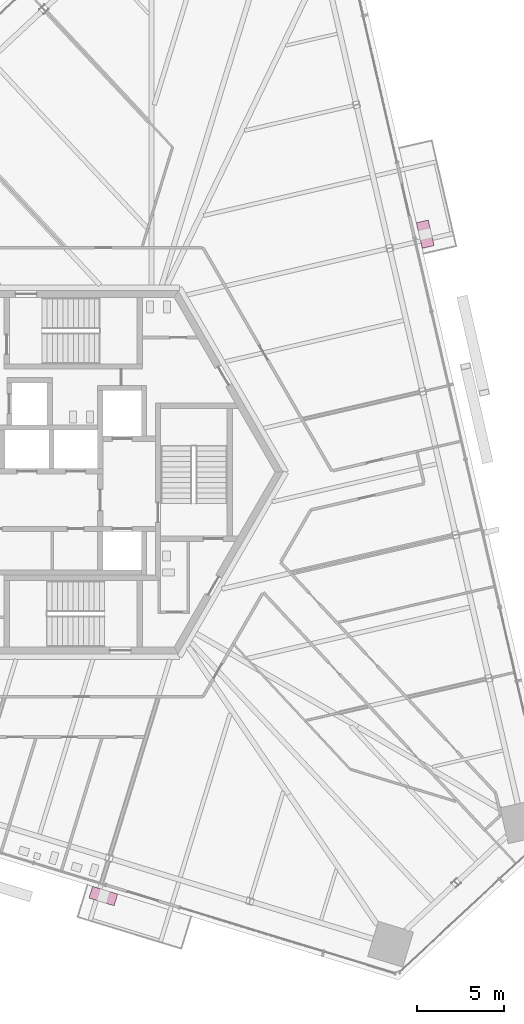
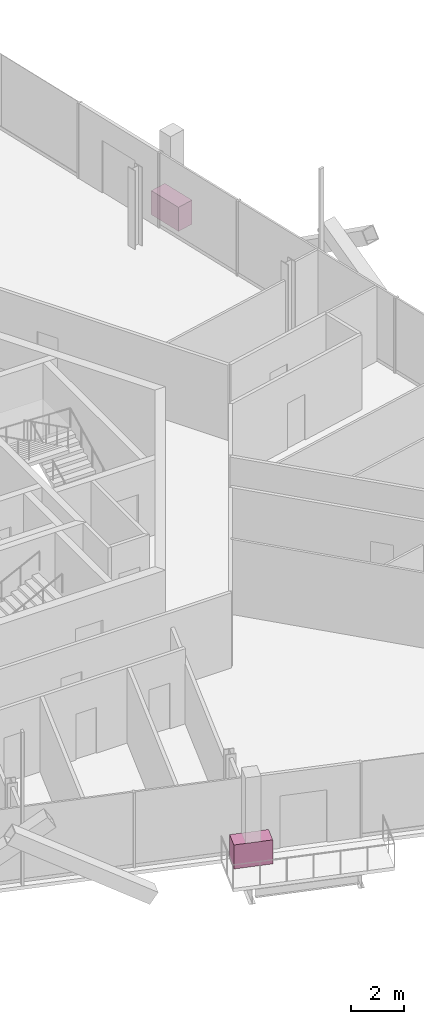
# One storey, part 23 of 24: 2 furniture elements.
"""IFC4 building model written with IfcOpenShell, lengths in metres."""

from ifc_helpers import new_model, si_unit, direction, frame, origin, origin_2d, place, context, subcontext, project, spatial, rectangle, extrude, source, transform, mapped, material, type_object, element, save


model = new_model("IFC4")

# Units and contexts
model_context = context("Model", 3, precision=1e-05, world=origin(), true_north=direction((0.0, 1.0)))
body_context = subcontext(model_context, "Body", "Model", "MODEL_VIEW")
ifc_project = project(units=[si_unit("LENGTHUNIT", "METRE"), si_unit("AREAUNIT", "SQUARE_METRE"), si_unit("VOLUMEUNIT", "CUBIC_METRE"), si_unit("PLANEANGLEUNIT", "RADIAN"), si_unit("MASSUNIT", "GRAM", prefix="KILO")], contexts=[model_context])

# Site, building, storey
site_placement = place(None, origin())
site = spatial("IfcSite", under=ifc_project, at=site_placement, CompositionType="ELEMENT")
building_placement = place(site_placement, origin())
building = spatial("IfcBuilding", under=site, at=building_placement, Name="Triune Harvest Tower", CompositionType="ELEMENT")
storey_placement = place(building_placement, frame((0.0, 0.0, 112.699951171875)))
storey = spatial("IfcBuildingStorey", under=building, at=storey_placement, Name="L28", CompositionType="ELEMENT", Elevation=112.699951171875)

# Furniture
ifc_material = material(Name="Concrete 40 MPa", Category="concrete")
furniture_type = type_object("IfcFurnitureType", Name="PB-1 structural planter", AssemblyPlace="SITE", PredefinedType="USERDEFINED", material=ifc_material)
shared_shape = source(origin(), body_context, "Body", "SweptSolid", [
    extrude(rectangle(XDim=1.5, YDim=0.699951171875, at=origin_2d()), origin(), (0.0, 0.0, 1.0), 1.10009765625),
])
for number, where, z_axis, x_axis, name in (
    (1, (20.12841796875, 13.610107421875, 0.0), (0.0, 0.0, 1.0), (-0.22495121687, 0.974370027263, 0.0), "Planter B3-F1 L28.9a"),
    (2, (1.722412109375, -24.23681640625, 0.0), (0.0, 0.0, 1.0), (0.956304229664, -0.292373426164, 0.0), "Planter B3-F5 L28.9a"),
):
    element("IfcFurniture", number, at=place(storey_placement, frame(where, z_axis=z_axis, x_axis=x_axis)), inside=storey, type_object=furniture_type, Name=name, ObjectType="PLANTER", PredefinedType="USERDEFINED", context=body_context, shape_type="MappedRepresentation", body=[
        mapped(shared_shape, transform((0.0, 0.0, 0.0), scale=1.0)),
    ])

save(model, "model.ifc")
